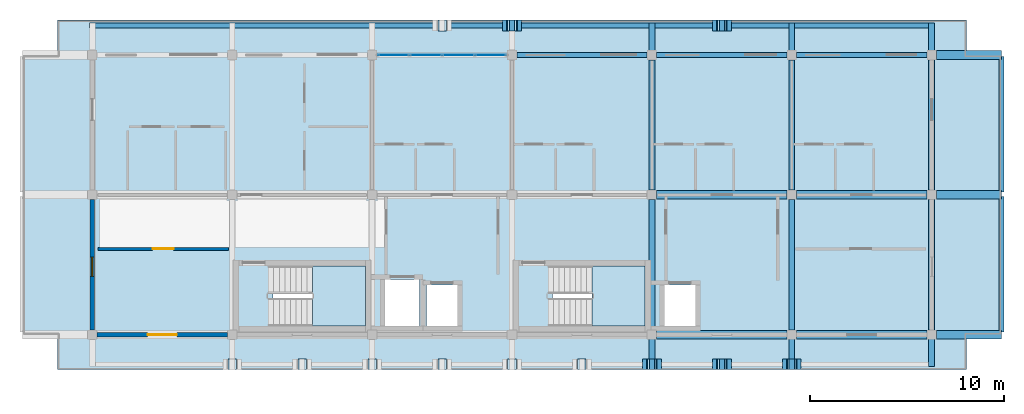
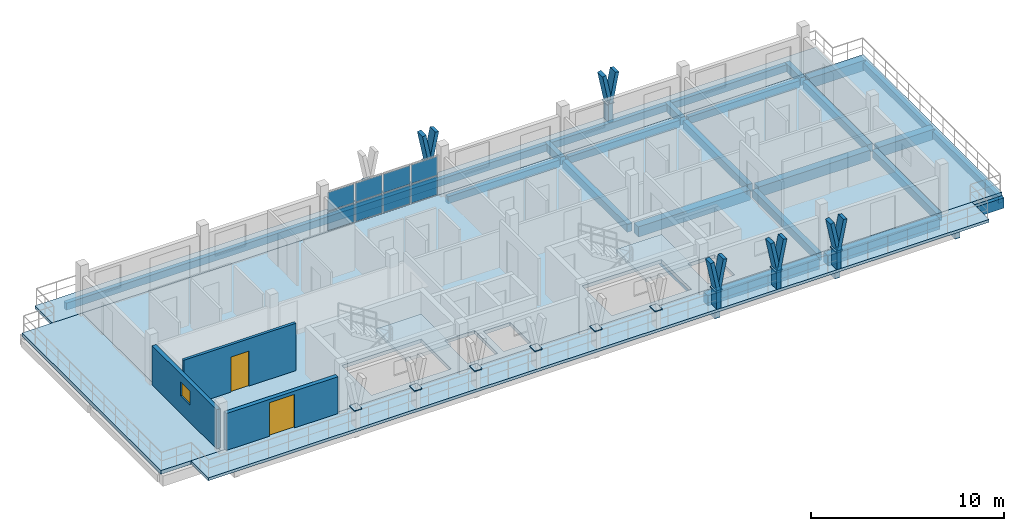
# One storey, part 3 of 9: 25 beams, 20 plates, 15 members, 7 slabs, 3 walls, 2 doors, 1 window, 3 openings, 3 elements without a shape of their own.
"""IFC4 building model written with IfcOpenShell, lengths in metres."""

from ifc_helpers import new_model, si_unit, direction, frame, frame_2d, origin, origin_2d, place, context, subcontext, project, spatial, polyline, rectangle, outline, extrude, material, layer, layer_set, material_profile, profile_set, type_object, element, fill, aggregate, save


model = new_model("IFC4")

# Units and contexts
model_context = context("Model", 3, precision=1e-05, world=origin(), true_north=direction((0.0, 1.0)))
body_context = subcontext(model_context, "Body", "Model", "MODEL_VIEW")
ifc_project = project(units=[si_unit("LENGTHUNIT", "METRE"), si_unit("AREAUNIT", "SQUARE_METRE"), si_unit("VOLUMEUNIT", "CUBIC_METRE"), si_unit("PLANEANGLEUNIT", "RADIAN"), si_unit("MASSUNIT", "GRAM", prefix="KILO")], contexts=[model_context])

# Site, building, storey
site_placement = place(None, origin())
site = spatial("IfcSite", under=ifc_project, at=site_placement, CompositionType="ELEMENT")
building_placement = place(site_placement, origin())
building = spatial("IfcBuilding", under=site, at=building_placement, Name="Suanplinth Sawtooth Commons", CompositionType="ELEMENT")
storey_placement = place(building_placement, frame((0.0, 0.0, 47.699951171875)))
storey = spatial("IfcBuildingStorey", under=building, at=storey_placement, Name="L14", CompositionType="ELEMENT", Elevation=47.699951171875)

# Beams
ifc_material_1 = material(Name="Precast concrete C40/50", Category="concrete")
ifc_material_profile_1 = material_profile(ifc_material_1, rectangle(XDim=0.449951171875, YDim=0.64990234375, at=origin_2d()), Name="PC-GDR 450x650")
ifc_profile_set_1 = profile_set([ifc_material_profile_1], Name="Precast concrete C40/50")
beam_type_1 = type_object("IfcBeamType", Name="B-04", PredefinedType="USERDEFINED", material=ifc_profile_set_1)
for number, where, z_axis, x_axis, name in (
    (1, (65.050048828125, 108.0, -0.544921875), (1.0, 0.0, 0.0), (0.0, 1.0, 0.0), "BMX-L14-A-9-15"),
    (2, (65.050048828125, 115.199951171875, -0.544921875), (1.0, 0.0, 0.0), (0.0, 1.0, 0.0), "BMX-L14-A-9-16"),
    (3, (72.25, 108.0, -0.544921875), (1.0, 0.0, 0.0), (0.0, 1.0, 0.0), "BMX-L14-A-10-15"),
    (4, (72.25, 115.199951171875, -0.544921875), (1.0, 0.0, 0.0), (0.0, 1.0, 0.0), "BMX-L14-A-10-16"),
):
    element("IfcBeam", number, at=place(storey_placement, frame(where, z_axis=z_axis, x_axis=x_axis)), inside=storey, type_object=beam_type_1, Name=name, ObjectType="GIRDER", PredefinedType="USERDEFINED", context=body_context, shape_type="SweptSolid", body=[
        extrude(rectangle(XDim=0.449951171875, YDim=0.64990234375, at=origin_2d()), origin(), (0.0, 0.0, 1.0), 6.699951171875),
    ])
for number, where, z_axis, x_axis, name in (
    (5, (79.449951171875, 108.0, -0.544921875), (1.0, 0.0, 0.0), (0.0, 1.0, 0.0), "BMX-L14-A-ECANT-15"),
    (6, (79.449951171875, 115.199951171875, -0.544921875), (1.0, 0.0, 0.0), (0.0, 1.0, 0.0), "BMX-L14-A-ECANT-16"),
    (7, (79.449951171875, 122.39990234375, -0.544921875), (1.0, 0.0, 0.0), (0.0, 1.0, 0.0), "BMX-L14-A-ECANT-17"),
):
    element("IfcBeam", number, at=place(storey_placement, frame(where, z_axis=z_axis, x_axis=x_axis)), inside=storey, type_object=beam_type_1, Name=name, ObjectType="GIRDER", PredefinedType="USERDEFINED", context=body_context, shape_type="SweptSolid", body=[
        extrude(rectangle(XDim=0.449951171875, YDim=0.64990234375, at=origin_2d()), origin(), (0.0, 0.0, 1.0), 3.35009765625),
    ])
ifc_material_profile_2 = material_profile(ifc_material_1, rectangle(XDim=0.300048828125, YDim=0.5, at=origin_2d()), Name="PC-BM 300x500")
ifc_profile_set_2 = profile_set([ifc_material_profile_2], Name="Precast concrete C40/50")
beam_type_2 = type_object("IfcBeamType", Name="B-07", PredefinedType="BEAM", material=ifc_profile_set_2)
for number, where, z_axis, x_axis, name in (
    (8, (64.800048828125, 108.25, -0.469970703125), (0.0, 1.0, 0.0), (-1.0, 0.0, 0.0), "BMY-L14-A-9-15"),
    (9, (64.800048828125, 115.449951171875, -0.469970703125), (0.0, 1.0, 0.0), (-1.0, 0.0, 0.0), "BMY-L14-A-9-16"),
    (10, (72.0, 108.25, -0.469970703125), (0.0, 1.0, 0.0), (-1.0, 0.0, 0.0), "BMY-L14-A-10-15"),
    (11, (72.0, 115.449951171875, -0.469970703125), (0.0, 1.0, 0.0), (-1.0, 0.0, 0.0), "BMY-L14-A-10-16"),
    (12, (79.199951171875, 108.25, -0.469970703125), (0.0, 1.0, 0.0), (-1.0, 0.0, 0.0), "BMY-L14-A-11-15"),
    (13, (79.199951171875, 115.449951171875, -0.469970703125), (0.0, 1.0, 0.0), (-1.0, 0.0, 0.0), "BMY-L14-A-11-16"),
):
    element("IfcBeam", number, at=place(storey_placement, frame(where, z_axis=z_axis, x_axis=x_axis)), inside=storey, type_object=beam_type_2, Name=name, PredefinedType="BEAM", context=body_context, shape_type="SweptSolid", body=[
        extrude(rectangle(XDim=0.300048828125, YDim=0.5, at=origin_2d()), origin(), (0.0, 0.0, 1.0), 6.699951171875),
    ])
for number, where, z_axis, x_axis, name in (
    (14, (64.800048828125, 122.39990234375, -0.429931640625), (0.0, 1.0, 0.0), (-1.0, 0.0, 0.0), "Balcony Outrigger L14-A-N-9"),
    (15, (72.0, 122.39990234375, -0.429931640625), (0.0, 1.0, 0.0), (-1.0, 0.0, 0.0), "Balcony Outrigger L14-A-N-10"),
    (16, (79.199951171875, 122.39990234375, -0.429931640625), (0.0, 1.0, 0.0), (-1.0, 0.0, 0.0), "Balcony Outrigger L14-A-N-11"),
):
    element("IfcBeam", number, at=place(storey_placement, frame(where, z_axis=z_axis, x_axis=x_axis)), inside=storey, type_object=beam_type_2, Name=name, PredefinedType="BEAM", context=body_context, shape_type="SweptSolid", body=[
        extrude(rectangle(XDim=0.300048828125, YDim=0.5, at=origin_2d()), origin(), (0.0, 0.0, 1.0), 1.64013671875),
    ])
for number, where, z_axis, x_axis, name in (
    (17, (64.800048828125, 108.0, -0.429931640625), (0.0, -1.0, 0.0), (1.0, 0.0, 0.0), "Balcony Outrigger L14-A-S-9"),
    (18, (72.0, 108.0, -0.429931640625), (0.0, -1.0, 0.0), (1.0, 0.0, 0.0), "Balcony Outrigger L14-A-S-10"),
    (19, (79.199951171875, 108.0, -0.429931640625), (0.0, -1.0, 0.0), (1.0, 0.0, 0.0), "Balcony Outrigger L14-A-S-11"),
):
    element("IfcBeam", number, at=place(storey_placement, frame(where, z_axis=z_axis, x_axis=x_axis)), inside=storey, type_object=beam_type_2, Name=name, PredefinedType="BEAM", context=body_context, shape_type="SweptSolid", body=[
        extrude(rectangle(XDim=0.300048828125, YDim=0.5, at=origin_2d()), origin(), (0.0, 0.0, 1.0), 1.639892578125),
    ])
ifc_material_profile_3 = material_profile(ifc_material_1, rectangle(XDim=0.25, YDim=0.449951171875, at=origin_2d()), Name="PC-SP 250x450")
ifc_profile_set_3 = profile_set([ifc_material_profile_3], Name="Precast concrete C40/50")
beam_type_3 = type_object("IfcBeamType", Name="B-09", PredefinedType="SPANDREL", material=ifc_profile_set_3)
for number, where, z_axis, x_axis, name in (
    (20, (57.85009765625, 122.39990234375, -0.445068359375), (1.0, 0.0, 0.0), (0.0, 1.0, 0.0), "BMX-L14-A-8-17"),
    (21, (65.050048828125, 122.39990234375, -0.445068359375), (1.0, 0.0, 0.0), (0.0, 1.0, 0.0), "BMX-L14-A-9-17"),
    (22, (72.25, 122.39990234375, -0.445068359375), (1.0, 0.0, 0.0), (0.0, 1.0, 0.0), "BMX-L14-A-10-17"),
):
    element("IfcBeam", number, at=place(storey_placement, frame(where, z_axis=z_axis, x_axis=x_axis)), inside=storey, type_object=beam_type_3, Name=name, PredefinedType="SPANDREL", context=body_context, shape_type="SweptSolid", body=[
        extrude(rectangle(XDim=0.25, YDim=0.449951171875, at=origin_2d()), origin(), (0.0, 0.0, 1.0), 6.699951171875),
    ])
beam_1_placement = place(storey_placement, frame((82.800048828125, 108.139892578125, -0.544921875), z_axis=(0.0, 1.0, 0.0), x_axis=(-1.0, 0.0, 0.0)))
element("IfcBeam", 23, at=beam_1_placement, inside=storey, type_object=beam_type_3, Name="BMY-L14-A-STEP-828-15", PredefinedType="SPANDREL", context=body_context, shape_type="SweptSolid", body=[
    extrude(rectangle(XDim=0.25, YDim=0.449951171875, at=origin_2d()), origin(), (0.0, 0.0, 1.0), 6.980224609375),
])
beam_2_placement = place(storey_placement, frame((82.800048828125, 115.340087890625, -0.544921875), z_axis=(0.0, 1.0, 0.0), x_axis=(-1.0, 0.0, 0.0)))
element("IfcBeam", 24, at=beam_2_placement, inside=storey, type_object=beam_type_3, Name="BMY-L14-A-STEP-828-16", PredefinedType="SPANDREL", context=body_context, shape_type="SweptSolid", body=[
    extrude(rectangle(XDim=0.25, YDim=0.449951171875, at=origin_2d()), origin(), (0.0, 0.0, 1.0), 6.97998046875),
])
beam_3_placement = place(storey_placement, frame((35.85009765625, 123.919921875, -0.405029296875), z_axis=(1.0, 0.0, 0.0), x_axis=(0.0, 1.0, 0.0)))
element("IfcBeam", 25, at=beam_3_placement, inside=storey, type_object=beam_type_3, Name="Balcony Edge Fascia L14-A-N", PredefinedType="SPANDREL", context=body_context, shape_type="SweptSolid", body=[
    extrude(rectangle(XDim=0.25, YDim=0.449951171875, at=origin_2d()), origin(), (0.0, 0.0, 1.0), 43.5),
])

# Members
ifc_material_2 = material(Name="Pigmented precast concrete C40/50", Category="concrete")
ifc_material_profile_4 = material_profile(ifc_material_2, rectangle(XDim=0.260009765625, YDim=0.550048828125, at=origin_2d()), Name="PC-FIN 260x550")
ifc_profile_set_4 = profile_set([ifc_material_profile_4], Name="Pigmented precast concrete C40/50")
member_type_1 = type_object("IfcMemberType", Name="M-09", PredefinedType="USERDEFINED", material=ifc_profile_set_4)
for number, where, z_axis, x_axis, name in (
    (26, (57.60009765625, 123.919921875, 0.0), (0.0, 0.0, 1.0), (1.0, 0.0, 0.0), "Y-Blade Stem L14-A-N-02"),
    (27, (68.39990234375, 123.919921875, 0.0), (0.0, 0.0, 1.0), (1.0, 0.0, 0.0), "Y-Blade Stem L14-A-N-03"),
    (28, (64.800048828125, 106.47998046875, 0.0), (0.0, 0.0, 1.0), (1.0, 0.0, 0.0), "Y-Blade Stem L14-A-S-10"),
    (29, (68.39990234375, 106.47998046875, 0.0), (0.0, 0.0, 1.0), (1.0, 0.0, 0.0), "Y-Blade Stem L14-A-S-11"),
    (30, (72.0, 106.47998046875, 0.0), (0.0, 0.0, 1.0), (1.0, 0.0, 0.0), "Y-Blade Stem L14-A-S-12"),
):
    element("IfcMember", number, at=place(storey_placement, frame(where, z_axis=z_axis, x_axis=x_axis)), inside=storey, type_object=member_type_1, Name=name, ObjectType="SHADING FIN", PredefinedType="USERDEFINED", context=body_context, shape_type="SweptSolid", body=[
        extrude(rectangle(XDim=0.260009765625, YDim=0.550048828125, at=origin_2d()), origin(), (0.0, 0.0, 1.0), 1.170166015625),
    ])
ifc_material_profile_5 = material_profile(ifc_material_2, rectangle(XDim=0.219970703125, YDim=0.550048828125, at=origin_2d()), Name="PC-FIN 220x550")
ifc_profile_set_5 = profile_set([ifc_material_profile_5], Name="Pigmented precast concrete C40/50")
member_type_2 = type_object("IfcMemberType", Name="M-10", PredefinedType="USERDEFINED", material=ifc_profile_set_5)
member_placement = place(storey_placement, frame((57.60009765625, 123.919921875, 1.130126953125), z_axis=(-0.196431120402, 0.0, 0.980517626021), x_axis=(0.980517626021, 0.0, 0.196431120402)))
element("IfcMember", 31, at=member_placement, inside=storey, type_object=member_type_2, Name="Y-Blade Arm L L14-A-N-02", ObjectType="SHADING FIN", PredefinedType="USERDEFINED", context=body_context, shape_type="SweptSolid", body=[
    extrude(rectangle(XDim=0.219970703125, YDim=0.550048828125, at=origin_2d()), origin(), (0.0, 0.0, 1.0), 1.937744140625),
])
for number, where, z_axis, x_axis, name in (
    (32, (57.60009765625, 123.919921875, 1.130126953125), (0.196309979414, 0.0, 0.980541886909), (-0.980541886909, 0.0, 0.196309979414), "Y-Blade Arm R L14-A-N-02"),
    (33, (68.39990234375, 123.919921875, 1.130126953125), (-0.196309979414, 0.0, 0.980541886909), (0.980541886909, 0.0, 0.196309979414), "Y-Blade Arm L L14-A-N-03"),
):
    element("IfcMember", number, at=place(storey_placement, frame(where, z_axis=z_axis, x_axis=x_axis)), inside=storey, type_object=member_type_2, Name=name, ObjectType="SHADING FIN", PredefinedType="USERDEFINED", context=body_context, shape_type="SweptSolid", body=[
        extrude(rectangle(XDim=0.219970703125, YDim=0.550048828125, at=origin_2d()), origin(), (0.0, 0.0, 1.0), 1.9375),
    ])
for number, where, z_axis, x_axis, name in (
    (34, (68.39990234375, 123.919921875, 1.130126953125), (0.196431120402, 0.0, 0.980517626021), (-0.980517626021, 0.0, 0.196431120402), "Y-Blade Arm R L14-A-N-03"),
    (35, (64.800048828125, 106.47998046875, 1.130126953125), (-0.196431120402, 0.0, 0.980517626021), (0.980517626021, 0.0, 0.196431120402), "Y-Blade Arm L L14-A-S-10"),
):
    element("IfcMember", number, at=place(storey_placement, frame(where, z_axis=z_axis, x_axis=x_axis)), inside=storey, type_object=member_type_2, Name=name, ObjectType="SHADING FIN", PredefinedType="USERDEFINED", context=body_context, shape_type="SweptSolid", body=[
        extrude(rectangle(XDim=0.219970703125, YDim=0.550048828125, at=origin_2d()), origin(), (0.0, 0.0, 1.0), 1.937744140625),
    ])
for number, where, z_axis, x_axis, name in (
    (36, (64.800048828125, 106.47998046875, 1.130126953125), (0.196309979414, 0.0, 0.980541886909), (-0.980541886909, 0.0, 0.196309979414), "Y-Blade Arm R L14-A-S-10"),
    (37, (68.39990234375, 106.47998046875, 1.130126953125), (-0.196309979414, 0.0, 0.980541886909), (0.980541886909, 0.0, 0.196309979414), "Y-Blade Arm L L14-A-S-11"),
):
    element("IfcMember", number, at=place(storey_placement, frame(where, z_axis=z_axis, x_axis=x_axis)), inside=storey, type_object=member_type_2, Name=name, ObjectType="SHADING FIN", PredefinedType="USERDEFINED", context=body_context, shape_type="SweptSolid", body=[
        extrude(rectangle(XDim=0.219970703125, YDim=0.550048828125, at=origin_2d()), origin(), (0.0, 0.0, 1.0), 1.9375),
    ])
for number, where, z_axis, x_axis, name in (
    (38, (68.39990234375, 106.47998046875, 1.130126953125), (0.196431120402, 0.0, 0.980517626021), (-0.980517626021, 0.0, 0.196431120402), "Y-Blade Arm R L14-A-S-11"),
    (39, (72.0, 106.47998046875, 1.130126953125), (-0.196431120402, 0.0, 0.980517626021), (0.980517626021, 0.0, 0.196431120402), "Y-Blade Arm L L14-A-S-12"),
    (40, (72.0, 106.47998046875, 1.130126953125), (0.196431120402, 0.0, 0.980517626021), (-0.980517626021, 0.0, 0.196431120402), "Y-Blade Arm R L14-A-S-12"),
):
    element("IfcMember", number, at=place(storey_placement, frame(where, z_axis=z_axis, x_axis=x_axis)), inside=storey, type_object=member_type_2, Name=name, ObjectType="SHADING FIN", PredefinedType="USERDEFINED", context=body_context, shape_type="SweptSolid", body=[
        extrude(rectangle(XDim=0.219970703125, YDim=0.550048828125, at=origin_2d()), origin(), (0.0, 0.0, 1.0), 1.937744140625),
    ])

# Plates
ifc_layer_1 = layer(ifc_material_2, 0.06005859375, Name="Precast Y-blade bifurcation node plate 60mm")
ifc_layer_set_1 = layer_set([ifc_layer_1], Name="Pigmented precast concrete C40/50")
plate_type_1 = type_object("IfcPlateType", Name="PL-04", PredefinedType="USERDEFINED", material=ifc_layer_set_1)
for number, where, z_axis, x_axis, name in (
    (41, (54.0, 123.919921875, 1.1201171875), (0.0, 0.0, 1.0), (1.0, 0.0, 0.0), "Y-Blade Node Plate L14-A-N-01"),
    (42, (57.60009765625, 123.919921875, 1.1201171875), (0.0, 0.0, 1.0), (1.0, 0.0, 0.0), "Y-Blade Node Plate L14-A-N-02"),
    (43, (68.39990234375, 123.919921875, 1.1201171875), (0.0, 0.0, 1.0), (1.0, 0.0, 0.0), "Y-Blade Node Plate L14-A-N-03"),
    (44, (43.199951171875, 106.47998046875, 1.1201171875), (0.0, 0.0, 1.0), (1.0, 0.0, 0.0), "Y-Blade Node Plate L14-A-S-04"),
    (45, (46.800048828125, 106.47998046875, 1.1201171875), (0.0, 0.0, 1.0), (1.0, 0.0, 0.0), "Y-Blade Node Plate L14-A-S-05"),
    (46, (50.39990234375, 106.47998046875, 1.1201171875), (0.0, 0.0, 1.0), (1.0, 0.0, 0.0), "Y-Blade Node Plate L14-A-S-06"),
    (47, (54.0, 106.47998046875, 1.1201171875), (0.0, 0.0, 1.0), (1.0, 0.0, 0.0), "Y-Blade Node Plate L14-A-S-07"),
    (48, (57.60009765625, 106.47998046875, 1.1201171875), (0.0, 0.0, 1.0), (1.0, 0.0, 0.0), "Y-Blade Node Plate L14-A-S-08"),
    (49, (61.199951171875, 106.47998046875, 1.1201171875), (0.0, 0.0, 1.0), (1.0, 0.0, 0.0), "Y-Blade Node Plate L14-A-S-09"),
    (50, (64.800048828125, 106.47998046875, 1.1201171875), (0.0, 0.0, 1.0), (1.0, 0.0, 0.0), "Y-Blade Node Plate L14-A-S-10"),
    (51, (68.39990234375, 106.47998046875, 1.1201171875), (0.0, 0.0, 1.0), (1.0, 0.0, 0.0), "Y-Blade Node Plate L14-A-S-11"),
    (52, (72.0, 106.47998046875, 1.1201171875), (0.0, 0.0, 1.0), (1.0, 0.0, 0.0), "Y-Blade Node Plate L14-A-S-12"),
):
    element("IfcPlate", number, at=place(storey_placement, frame(where, z_axis=z_axis, x_axis=x_axis)), inside=storey, type_object=plate_type_1, Name=name, ObjectType="GUSSET PLATE", PredefinedType="USERDEFINED", context=body_context, shape_type="SweptSolid", body=[
        extrude(rectangle(XDim=0.43994140625, YDim=0.550048828125, at=origin_2d()), origin(), (0.0, 0.0, 1.0), 0.06005859375),
    ])

# Curtain wall, plates
ifc_material_3 = material(Name="Anodized aluminium and low-E glazing", Category="aluminium")
curtain_wall_type = type_object("IfcCurtainWallType", Name="CW-06", PredefinedType="USERDEFINED", material=ifc_material_3)
curtain_wall_placement = place(storey_placement, origin())
curtain_wall = element("IfcCurtainWall", 53, at=curtain_wall_placement, inside=storey, type_object=curtain_wall_type, Name="Curtain Wall CW-L14-A-LOUNGE-2", ObjectType="CURTAIN WALL", PredefinedType="USERDEFINED")
ifc_material_4 = material(Name="Tempered low-E double glazing", Category="glass")
ifc_layer_2 = layer(ifc_material_4, 0.028076171875, Name="Vision low-E insulated glazing unit 28mm")
ifc_layer_set_2 = layer_set([ifc_layer_2], Name="Tempered low-E double glazing")
plate_type_2 = type_object("IfcPlateType", Name="PL-05", PredefinedType="CURTAIN_PANEL", material=ifc_layer_set_2)
plate_1_placement = place(storey_placement, frame((51.503662109375, 122.39990234375, 0.06494140625), z_axis=(0.0, 0.0, 1.0), x_axis=(1.0, 0.0, 0.0)))
plate_1 = element("IfcPlate", 54, at=plate_1_placement, type_object=plate_type_2, Name="CW-06 panel 1.1", PredefinedType="CURTAIN_PANEL", context=body_context, shape_type="SweptSolid", body=[
    extrude(rectangle(XDim=1.577392578125, YDim=0.028076171875, at=origin_2d()), origin(), (0.0, 0.0, 1.0), 1.177490234375),
])
plate_2_placement = place(storey_placement, frame((51.503662109375, 122.39990234375, 1.3076171875), z_axis=(0.0, 0.0, 1.0), x_axis=(1.0, 0.0, 0.0)))
plate_2 = element("IfcPlate", 55, at=plate_2_placement, type_object=plate_type_2, Name="CW-06 panel 1.2", PredefinedType="CURTAIN_PANEL", context=body_context, shape_type="SweptSolid", body=[
    extrude(rectangle(XDim=1.577392578125, YDim=0.028076171875, at=origin_2d()), origin(), (0.0, 0.0, 1.0), 1.177490234375),
])
plate_3_placement = place(storey_placement, frame((53.16259765625, 122.39990234375, 0.06494140625), z_axis=(0.0, 0.0, 1.0), x_axis=(1.0, 0.0, 0.0)))
plate_3 = element("IfcPlate", 56, at=plate_3_placement, type_object=plate_type_2, Name="CW-06 panel 2.1", PredefinedType="CURTAIN_PANEL", context=body_context, shape_type="SweptSolid", body=[
    extrude(rectangle(XDim=1.610107421875, YDim=0.028076171875, at=origin_2d()), origin(), (0.0, 0.0, 1.0), 1.177490234375),
])
plate_4_placement = place(storey_placement, frame((53.16259765625, 122.39990234375, 1.3076171875), z_axis=(0.0, 0.0, 1.0), x_axis=(1.0, 0.0, 0.0)))
plate_4 = element("IfcPlate", 57, at=plate_4_placement, type_object=plate_type_2, Name="CW-06 panel 2.2", PredefinedType="CURTAIN_PANEL", context=body_context, shape_type="SweptSolid", body=[
    extrude(rectangle(XDim=1.610107421875, YDim=0.028076171875, at=origin_2d()), origin(), (0.0, 0.0, 1.0), 1.177490234375),
])
plate_5_placement = place(storey_placement, frame((54.83740234375, 122.39990234375, 0.06494140625), z_axis=(0.0, 0.0, 1.0), x_axis=(1.0, 0.0, 0.0)))
plate_5 = element("IfcPlate", 58, at=plate_5_placement, type_object=plate_type_2, Name="CW-06 panel 3.1", PredefinedType="CURTAIN_PANEL", context=body_context, shape_type="SweptSolid", body=[
    extrude(rectangle(XDim=1.610107421875, YDim=0.028076171875, at=origin_2d()), origin(), (0.0, 0.0, 1.0), 1.177490234375),
])
plate_6_placement = place(storey_placement, frame((54.83740234375, 122.39990234375, 1.3076171875), z_axis=(0.0, 0.0, 1.0), x_axis=(1.0, 0.0, 0.0)))
plate_6 = element("IfcPlate", 59, at=plate_6_placement, type_object=plate_type_2, Name="CW-06 panel 3.2", PredefinedType="CURTAIN_PANEL", context=body_context, shape_type="SweptSolid", body=[
    extrude(rectangle(XDim=1.610107421875, YDim=0.028076171875, at=origin_2d()), origin(), (0.0, 0.0, 1.0), 1.177490234375),
])
plate_7_placement = place(storey_placement, frame((56.496337890625, 122.39990234375, 0.06494140625), z_axis=(0.0, 0.0, 1.0), x_axis=(1.0, 0.0, 0.0)))
plate_7 = element("IfcPlate", 60, at=plate_7_placement, type_object=plate_type_2, Name="CW-06 panel 4.1", PredefinedType="CURTAIN_PANEL", context=body_context, shape_type="SweptSolid", body=[
    extrude(rectangle(XDim=1.577392578125, YDim=0.028076171875, at=origin_2d()), origin(), (0.0, 0.0, 1.0), 1.177490234375),
])
plate_8_placement = place(storey_placement, frame((56.496337890625, 122.39990234375, 1.3076171875), z_axis=(0.0, 0.0, 1.0), x_axis=(1.0, 0.0, 0.0)))
plate_8 = element("IfcPlate", 61, at=plate_8_placement, type_object=plate_type_2, Name="CW-06 panel 4.2", PredefinedType="CURTAIN_PANEL", context=body_context, shape_type="SweptSolid", body=[
    extrude(rectangle(XDim=1.577392578125, YDim=0.028076171875, at=origin_2d()), origin(), (0.0, 0.0, 1.0), 1.177490234375),
])
aggregate(curtain_wall, [plate_1, plate_2, plate_3, plate_4, plate_5, plate_6, plate_7, plate_8])

# Slabs
ifc_layer_3 = layer(ifc_material_1, 0.179931640625, Name="Wrap-around cantilevered precast balcony slab 180mm")
ifc_layer_set_3 = layer_set([ifc_layer_3], Name="Precast concrete C40/50")
slab_type_1 = type_object("IfcSlabType", Name="S-BL01", PredefinedType="FLOOR", material=ifc_layer_set_3)
slab_1_placement = place(storey_placement, frame((0.0, 0.0, -0.179931640625)))
element("IfcSlab", 62, at=slab_1_placement, inside=storey, type_object=slab_type_1, Name="L14 Block A Wrap-Around Balcony N", PredefinedType="FLOOR", context=body_context, shape_type="SweptSolid", body=[
    extrude(outline(polyline([(34.199951171875, 124.199951171875), (81.0, 124.199951171875), (81.0, 122.39990234375), (34.199951171875, 122.39990234375), (34.199951171875, 124.199951171875)])), origin(), (0.0, 0.0, 1.0), 0.179931640625),
])
slab_2_placement = place(storey_placement, frame((0.0, 0.0, -0.179931640625)))
element("IfcSlab", 63, at=slab_2_placement, inside=storey, type_object=slab_type_1, Name="L14 Block A Wrap-Around Balcony S", PredefinedType="FLOOR", context=body_context, shape_type="SweptSolid", body=[
    extrude(outline(polyline([(81.0, 106.199951171875), (34.199951171875, 106.199951171875), (34.199951171875, 108.0), (81.0, 108.0), (81.0, 106.199951171875)])), origin(), (0.0, 0.0, 1.0), 0.179931640625),
])
ifc_layer_4 = layer(ifc_material_1, 0.219970703125, Name="Precast hollow-core + topping floor slab 220mm")
ifc_layer_set_4 = layer_set([ifc_layer_4], Name="Precast concrete C40/50")
slab_type_2 = type_object("IfcSlabType", Name="S-FL03", PredefinedType="FLOOR", material=ifc_layer_set_4)
slab_3_placement = place(storey_placement, frame((0.0, 0.0, -0.219970703125)))
element("IfcSlab", 64, at=slab_3_placement, inside=storey, type_object=slab_type_2, Name="L14 Block A Structural Floor Plate", PredefinedType="FLOOR", context=body_context, shape_type="SweptSolid", body=[
    extrude(outline(polyline([(36.0, 108.0), (79.199951171875, 108.0), (79.199951171875, 122.39990234375), (36.0, 122.39990234375), (36.0, 108.0)]), holes=[polyline([(45.2900390625, 108.449951171875), (50.050048828125, 108.449951171875), (50.050048828125, 111.550048828125), (45.2900390625, 111.550048828125), (45.2900390625, 108.449951171875)]), polyline([(51.050048828125, 108.449951171875), (52.85009765625, 108.449951171875), (52.85009765625, 110.85009765625), (51.050048828125, 110.85009765625), (51.050048828125, 108.449951171875)]), polyline([(53.199951171875, 108.449951171875), (54.800048828125, 108.449951171875), (54.800048828125, 110.550048828125), (53.199951171875, 110.550048828125), (53.199951171875, 108.449951171875)]), polyline([(59.68994140625, 108.449951171875), (64.449951171875, 108.449951171875), (64.449951171875, 111.550048828125), (59.68994140625, 111.550048828125), (59.68994140625, 108.449951171875)]), polyline([(65.449951171875, 108.449951171875), (67.050048828125, 108.449951171875), (67.050048828125, 110.550048828125), (65.449951171875, 110.550048828125), (65.449951171875, 108.449951171875)])]), origin(), (0.0, 0.0, 1.0), 0.219970703125),
])

# Stair, slab
ifc_material_5 = material(Name="Concrete C40/50", Category="concrete")
stair_type = type_object("IfcStairType", Name="ST-03", PredefinedType="USERDEFINED", material=ifc_material_5)
stair_1_placement = place(storey_placement, origin())
stair_1 = element("IfcStair", 65, at=stair_1_placement, inside=storey, type_object=stair_type, Name="L14 Exit Stair ST-N1", ObjectType="TWO_RETURN_STAIR", PredefinedType="USERDEFINED")
ifc_layer_5 = layer(ifc_material_5, 0.199951171875, Name="Reinforced concrete stair and ramp landing slab 200mm")
ifc_layer_set_5 = layer_set([ifc_layer_5], Name="Concrete C40/50")
slab_type_3 = type_object("IfcSlabType", Name="S-LD01", PredefinedType="LANDING", material=ifc_layer_set_5)
slab_4_placement = place(storey_placement, frame((0.0, 0.0, 1.400146484375)))
slab_4 = element("IfcSlab", 66, at=slab_4_placement, type_object=slab_type_3, Name="ST-03 landing 1", PredefinedType="LANDING", context=body_context, shape_type="SweptSolid", body=[
    extrude(outline(polyline([(47.330078125, 108.449951171875), (50.050048828125, 108.449951171875), (50.050048828125, 111.550048828125), (47.330078125, 111.550048828125), (47.330078125, 108.449951171875)])), origin(), (0.0, 0.0, 1.0), 0.199951171875),
])
aggregate(stair_1, [slab_4])

stair_2_placement = place(storey_placement, origin())
stair_2 = element("IfcStair", 67, at=stair_2_placement, inside=storey, type_object=stair_type, Name="L14 Exit Stair ST-N2", ObjectType="TWO_RETURN_STAIR", PredefinedType="USERDEFINED")
slab_5_placement = place(storey_placement, frame((0.0, 0.0, 1.400146484375)))
slab_5 = element("IfcSlab", 68, at=slab_5_placement, type_object=slab_type_3, Name="ST-03 landing 1", PredefinedType="LANDING", context=body_context, shape_type="SweptSolid", body=[
    extrude(outline(polyline([(61.72998046875, 108.449951171875), (64.449951171875, 108.449951171875), (64.449951171875, 111.550048828125), (61.72998046875, 111.550048828125), (61.72998046875, 108.449951171875)])), origin(), (0.0, 0.0, 1.0), 0.199951171875),
])
aggregate(stair_2, [slab_5])

# Slabs
ifc_layer_6 = layer(ifc_material_5, 0.239990234375, Name="Stepped sky-terrace & courtyard garden slab 240mm")
ifc_layer_set_6 = layer_set([ifc_layer_6], Name="Concrete C40/50")
slab_type_4 = type_object("IfcSlabType", Name="S-TR01", PredefinedType="FLOOR", material=ifc_layer_set_6)
slab_6_placement = place(storey_placement, frame((0.0, 0.0, -0.239990234375)))
element("IfcSlab", 69, at=slab_6_placement, inside=storey, type_object=slab_type_4, Name="L14 Block A Stepped Sky-Terrace 1", PredefinedType="FLOOR", context=body_context, shape_type="SweptSolid", body=[
    extrude(outline(polyline([(32.39990234375, 108.0), (32.39990234375, 122.39990234375), (36.0, 122.39990234375), (36.0, 108.0), (32.39990234375, 108.0)])), origin(), (0.0, 0.0, 1.0), 0.239990234375),
])
slab_7_placement = place(storey_placement, frame((0.0, 0.0, -0.239990234375)))
element("IfcSlab", 70, at=slab_7_placement, inside=storey, type_object=slab_type_4, Name="L14 Block A Stepped Sky-Terrace 2", PredefinedType="FLOOR", context=body_context, shape_type="SweptSolid", body=[
    extrude(outline(polyline([(82.800048828125, 122.39990234375), (82.800048828125, 108.0), (79.199951171875, 108.0), (79.199951171875, 122.39990234375), (82.800048828125, 122.39990234375)])), origin(), (0.0, 0.0, 1.0), 0.239990234375),
])

# Wall, opening, door
ifc_layer_7 = layer(ifc_material_1, 0.239990234375, Name="Upper insulated precast facade wall 240mm")
ifc_layer_set_7 = layer_set([ifc_layer_7], Name="Precast concrete C40/50")
wall_type_1 = type_object("IfcWallType", Name="W-EX03", PredefinedType="ELEMENTEDWALL", material=ifc_layer_set_7)
wall_1_placement = place(storey_placement, frame((36.25, 108.0, 0.0), z_axis=(0.0, 0.0, 1.0), x_axis=(1.0, 0.0, 0.0)))
wall_1 = element("IfcWall", 71, at=wall_1_placement, inside=storey, type_object=wall_type_1, Name="Courtyard Wall W-L14-A-S-0", PredefinedType="ELEMENTEDWALL", context=body_context, shape_type="SweptSolid", body=[
    extrude(rectangle(XDim=6.699951171875, YDim=0.239990234375, at=frame_2d((3.35009765625, 0.0))), origin(), (0.0, 0.0, 1.0), 2.3349609375),
])
opening_1_placement = place(wall_1_placement, frame((2.60009765625, 0.0, 0.0)))
opening_1 = element("IfcOpeningElement", 72, at=opening_1_placement, cuts=wall_1, Name="Opening ED0846", PredefinedType="OPENING", context=body_context, shape_type="SweptSolid", body=[
    extrude(rectangle(XDim=1.5, YDim=2.1201171875, at=frame_2d((0.75, 1.06005859375))), frame((0.0, 0.134765625, 0.0), z_axis=(0.0, -1.0, 0.0), x_axis=(1.0, 0.0, 0.0)), (0.0, 0.0, 1.0), 0.269775390625),
])
ifc_material_6 = material(Name="Anodized aluminium and low-E glass", Category="aluminium")
door_type_1 = type_object("IfcDoorType", Name="SD-03", OperationType="SLIDING_TO_LEFT", PredefinedType="DOOR", material=ifc_material_6)
door_1_placement = place(opening_1_placement, frame((1.5, 0.0, 0.0), z_axis=(0.0, 0.0, 1.0), x_axis=(-1.0, 0.0, 0.0)))
door_1 = element("IfcDoor", 73, at=door_1_placement, inside=storey, type_object=door_type_1, Name="Courtyard Balcony Sliding Door L14-A-S-0", OperationType="SLIDING_TO_LEFT", OverallHeight=2.1201171875, OverallWidth=1.5, PredefinedType="DOOR", context=body_context, shape_type="SweptSolid", body=[
    extrude(rectangle(XDim=1.5, YDim=2.1201171875, at=frame_2d((0.75, 1.06005859375))), frame((0.0, 0.02490234375, 0.0), z_axis=(0.0, -1.0, 0.0), x_axis=(1.0, 0.0, 0.0)), (0.0, 0.0, 1.0), 0.050048828125),
])
fill(opening_1, door_1)

# Wall, opening, window
ifc_layer_8 = layer(ifc_material_1, 0.22998046875, Name="Stepped terrace insulated precast wall 230mm")
ifc_layer_set_8 = layer_set([ifc_layer_8], Name="Precast concrete C40/50")
wall_type_2 = type_object("IfcWallType", Name="W-EX06", PredefinedType="ELEMENTEDWALL", material=ifc_layer_set_8)
wall_2_placement = place(storey_placement, frame((36.0, 108.25, 0.0), z_axis=(0.0, 0.0, 1.0), x_axis=(0.0, 1.0, 0.0)))
wall_2 = element("IfcWall", 74, at=wall_2_placement, inside=storey, type_object=wall_type_2, Name="End Wall W-L14-A-W-15", PredefinedType="ELEMENTEDWALL", context=body_context, shape_type="SweptSolid", body=[
    extrude(rectangle(XDim=6.699951171875, YDim=0.22998046875, at=frame_2d((3.35009765625, 0.0))), origin(), (0.0, 0.0, 1.0), 2.485107421875),
])
opening_2_placement = place(wall_2_placement, frame((2.75, 0.0, 1.10009765625)))
opening_2 = element("IfcOpeningElement", 75, at=opening_2_placement, cuts=wall_2, Name="Opening W0936", PredefinedType="OPENING", context=body_context, shape_type="SweptSolid", body=[
    extrude(rectangle(XDim=1.0, YDim=0.89990234375, at=frame_2d((0.5, 0.449951171875))), frame((0.0, 0.1298828125, 0.0), z_axis=(0.0, -1.0, 0.0), x_axis=(1.0, 0.0, 0.0)), (0.0, 0.0, 1.0), 0.259765625),
])
ifc_material_7 = material(Name="Thermally broken aluminium and low-E double glazing", Category="aluminium")
window_type = type_object("IfcWindowType", Name="WN-12", PartitioningType="SINGLE_PANEL", PredefinedType="WINDOW", material=ifc_material_7)
window_placement = place(opening_2_placement, origin())
window = element("IfcWindow", 76, at=window_placement, inside=storey, type_object=window_type, Name="End Window L14-A-W-15", OverallHeight=0.89990234375, OverallWidth=1.0, PartitioningType="SINGLE_PANEL", PredefinedType="WINDOW", context=body_context, shape_type="SweptSolid", body=[
    extrude(rectangle(XDim=1.0, YDim=0.89990234375, at=frame_2d((0.5, 0.449951171875))), frame((0.0, 0.030029296875, 0.0), z_axis=(0.0, -1.0, 0.0), x_axis=(1.0, 0.0, 0.0)), (0.0, 0.0, 1.0), 0.06005859375),
])
fill(opening_2, window)

# Wall, opening, door
ifc_layer_9 = layer(ifc_material_1, 0.159912109375, Name="Fire-rated corridor and lobby wall 160mm")
ifc_layer_set_9 = layer_set([ifc_layer_9], Name="Precast concrete C40/50")
wall_type_3 = type_object("IfcWallType", Name="W-FW01", PredefinedType="PARTITIONING", material=ifc_layer_set_9)
wall_3_placement = place(storey_placement, frame((36.280029296875, 112.419921875, 0.0), z_axis=(0.0, 0.0, 1.0), x_axis=(1.0, 0.0, 0.0)))
wall_3 = element("IfcWall", 77, at=wall_3_placement, inside=storey, type_object=wall_type_3, Name="W-A-L14-COURTROOM-5-COR", PredefinedType="PARTITIONING", context=body_context, shape_type="SweptSolid", body=[
    extrude(rectangle(XDim=6.719970703125, YDim=0.159912109375, at=frame_2d((3.35986328125, 0.0))), origin(), (0.0, 0.0, 1.0), 3.0),
])
opening_3_placement = place(wall_3_placement, frame((2.820068359375, 0.0, 0.0)))
opening_3 = element("IfcOpeningElement", 78, at=opening_3_placement, cuts=wall_3, Name="Opening D2072", PredefinedType="OPENING", context=body_context, shape_type="SweptSolid", body=[
    extrude(rectangle(XDim=1.080078125, YDim=2.219970703125, at=frame_2d((0.5400390625, 1.10986328125))), frame((0.0, 0.0947265625, 0.0), z_axis=(0.0, -1.0, 0.0), x_axis=(1.0, 0.0, 0.0)), (0.0, 0.0, 1.0), 0.189697265625),
])
ifc_material_8 = material(Name="Teak hardwood", Category="wood")
door_type_2 = type_object("IfcDoorType", Name="D-17", OperationType="NOTDEFINED", PredefinedType="DOOR", material=ifc_material_8)
door_2_placement = place(opening_3_placement, frame((1.080078125, 0.0, 0.0), z_axis=(0.0, 0.0, 1.0), x_axis=(-1.0, 0.0, 0.0)))
door_2 = element("IfcDoor", 79, at=door_2_placement, inside=storey, type_object=door_type_2, Name="Study Studio Door D2072", OperationType="SINGLE_SWING_RIGHT", OverallHeight=2.219970703125, OverallWidth=1.080078125, PredefinedType="DOOR", context=body_context, shape_type="SweptSolid", body=[
    extrude(rectangle(XDim=1.080078125, YDim=2.219970703125, at=frame_2d((0.5400390625, 1.10986328125))), frame((0.0, 0.02490234375, 0.0), z_axis=(0.0, -1.0, 0.0), x_axis=(1.0, 0.0, 0.0)), (0.0, 0.0, 1.0), 0.050048828125),
])
fill(opening_3, door_2)

save(model, "model.ifc")
